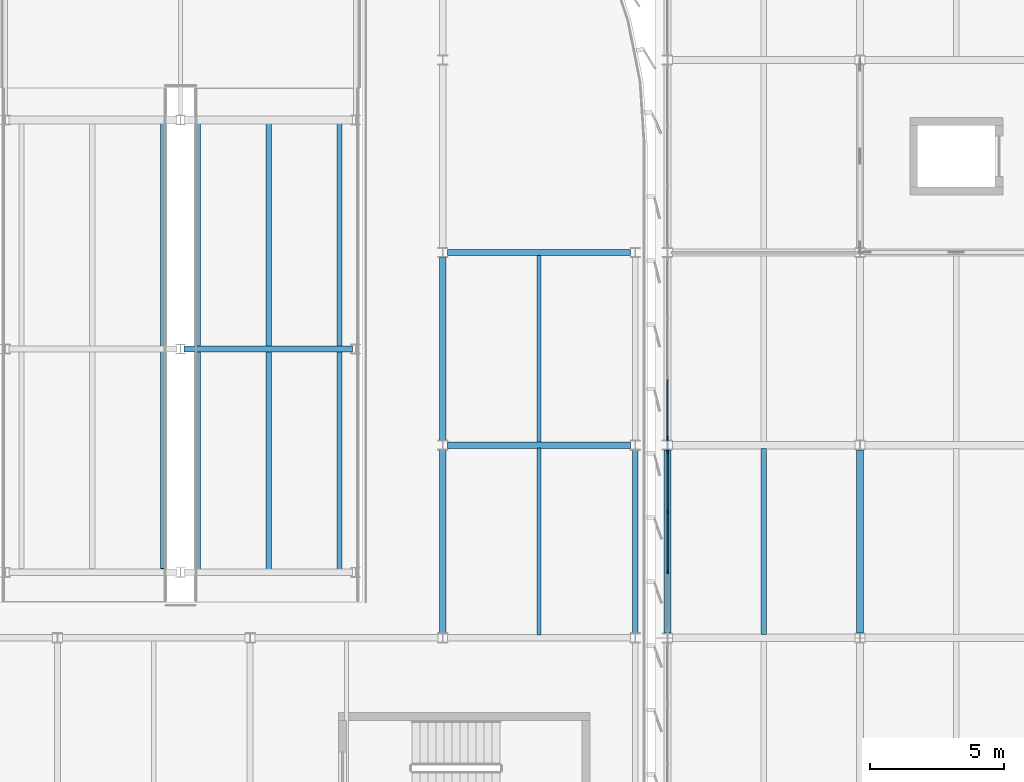
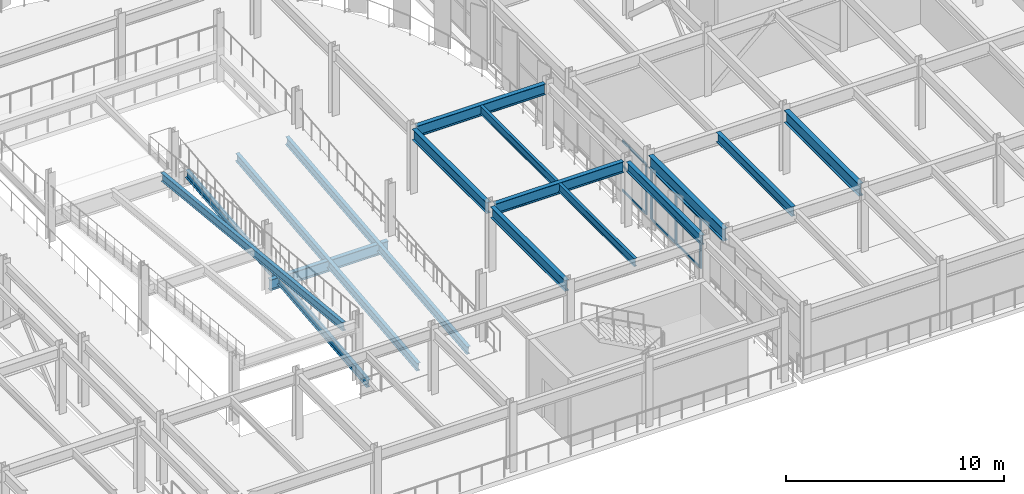
# One storey, part 31 of 80: 15 beams, 13 members, 2 elements without a shape of their own.
"""IFC4 building model written with IfcOpenShell, lengths in metres."""

from ifc_helpers import new_model, si_unit, direction, frame, origin, origin_2d, place, context, subcontext, project, spatial, rectangle, i_section, extrude, material, material_profile, profile_set, type_object, element, aggregate, save


model = new_model("IFC4")

# Units and contexts
model_context = context("Model", 3, precision=1e-05, world=origin(), true_north=direction((0.0, 1.0)))
body_context = subcontext(model_context, "Body", "Model", "MODEL_VIEW")
ifc_project = project(units=[si_unit("LENGTHUNIT", "METRE"), si_unit("AREAUNIT", "SQUARE_METRE"), si_unit("VOLUMEUNIT", "CUBIC_METRE"), si_unit("PLANEANGLEUNIT", "RADIAN"), si_unit("MASSUNIT", "GRAM", prefix="KILO")], contexts=[model_context])

# Site, building, storey
site_placement = place(None, origin())
site = spatial("IfcSite", under=ifc_project, at=site_placement, CompositionType="ELEMENT")
building_placement = place(site_placement, origin())
building = spatial("IfcBuilding", under=site, at=building_placement, Name="Vaelcorin Mobility Hub", CompositionType="ELEMENT")
storey_placement = place(building_placement, frame((0.0, 0.0, 9.300048828125)))
storey = spatial("IfcBuildingStorey", under=building, at=storey_placement, Name="L02", CompositionType="ELEMENT", Elevation=9.300048828125)

# Beams
ifc_material_1 = material(Name="Steel ASTM A992 Grade 50", Category="steel")
ifc_material_profile_1 = material_profile(ifc_material_1, i_section(OverallWidth=0.152099609375, OverallDepth=0.455078125, WebThickness=0.008056640625, FlangeThickness=0.01318359375, FilletRadius=0.012939453125, at=origin_2d()), Name="W18X40")
ifc_profile_set_1 = profile_set([ifc_material_profile_1], Name="Steel ASTM A992 Grade 50")
beam_type_1 = type_object("IfcBeamType", Name="BM-W18X40", PredefinedType="JOIST", material=ifc_profile_set_1)
beam_1_placement = place(storey_placement, frame((148.800048828125, 84.112060546875, 3.421875), z_axis=(0.0, 1.0, 0.0), x_axis=(-1.0, 0.0, 0.0)))
element("IfcBeam", 1, at=beam_1_placement, inside=storey, type_object=beam_type_1, Name="L02 Beam V2E-L02-J-04-02-1", PredefinedType="JOIST", context=body_context, shape_type="SweptSolid", body=[
    extrude(i_section(OverallWidth=0.152099609375, OverallDepth=0.455078125, WebThickness=0.008056640625, FlangeThickness=0.01318359375, FilletRadius=0.012939453125, at=origin_2d()), origin(), (0.0, 0.0, 1.0), 6.975830078125),
])
beam_2_placement = place(storey_placement, frame((148.800048828125, 91.31201171875, 3.421875), z_axis=(0.0, 1.0, 0.0), x_axis=(-1.0, 0.0, 0.0)))
element("IfcBeam", 2, at=beam_2_placement, inside=storey, type_object=beam_type_1, Name="L02 Beam V2E-L02-J-04-03-1", PredefinedType="JOIST", context=body_context, shape_type="SweptSolid", body=[
    extrude(i_section(OverallWidth=0.152099609375, OverallDepth=0.455078125, WebThickness=0.008056640625, FlangeThickness=0.01318359375, FilletRadius=0.012939453125, at=origin_2d()), origin(), (0.0, 0.0, 1.0), 6.97607421875),
])
ifc_material_profile_2 = material_profile(ifc_material_1, i_section(OverallWidth=0.19091796875, OverallDepth=0.4599609375, WebThickness=0.010009765625, FlangeThickness=0.01611328125, FilletRadius=0.012939453125, at=origin_2d()), Name="W18X55")
ifc_profile_set_2 = profile_set([ifc_material_profile_2], Name="Steel ASTM A992 Grade 50")
beam_type_2 = type_object("IfcBeamType", Name="BM-W18X55", PredefinedType="JOIST", material=ifc_profile_set_2)
for number, where, z_axis, x_axis, name in (
    (3, (136.050048828125, 86.56005859375, -0.39111328125), (0.0, 0.994870153846, 0.101160155132), (-1.0, 0.0, 0.0), "Vehicle Ramp VR-2 L02 Flight 1 Stringer 1"),
    (4, (138.699951171875, 86.56005859375, -0.39111328125), (0.0, 0.994870153846, 0.101160155132), (-1.0, 0.0, 0.0), "Vehicle Ramp VR-2 L02 Flight 1 Stringer 2"),
    (5, (141.35009765625, 86.56005859375, -0.39111328125), (0.0, 0.994870153846, 0.101160155132), (-1.0, 0.0, 0.0), "Vehicle Ramp VR-2 L02 Flight 1 Stringer 3"),
    (6, (134.75, 103.239990234375, 1.570068359375), (0.0, -0.994877478828, 0.101088090895), (1.0, 0.0, 0.0), "Vehicle Ramp VR-2 L02 Flight 2 Stringer 3"),
):
    element("IfcBeam", number, at=place(storey_placement, frame(where, z_axis=z_axis, x_axis=x_axis)), inside=storey, type_object=beam_type_2, Name=name, PredefinedType="JOIST", context=body_context, shape_type="SweptSolid", body=[
        extrude(i_section(OverallWidth=0.19091796875, OverallDepth=0.4599609375, WebThickness=0.010009765625, FlangeThickness=0.01611328125, FilletRadius=0.012939453125, at=origin_2d()), origin(), (0.0, 0.0, 1.0), 16.765869140625),
    ])
ifc_material_profile_3 = material_profile(ifc_material_1, i_section(OverallWidth=0.2099609375, OverallDepth=0.532958984375, WebThickness=0.01025390625, FlangeThickness=0.015625, FilletRadius=0.013916015625, at=origin_2d()), Name="W21X62")
ifc_profile_set_3 = profile_set([ifc_material_profile_3], Name="Steel ASTM A992 Grade 50")
beam_type_3 = type_object("IfcBeamType", Name="BM-W21X62", PredefinedType="JOIST", material=ifc_profile_set_3)
beam_3_placement = place(storey_placement, frame((157.199951171875, 84.132080078125, 3.333984375), z_axis=(0.0, 1.0, 0.0), x_axis=(-1.0, 0.0, 0.0)))
element("IfcBeam", 7, at=beam_3_placement, inside=storey, type_object=beam_type_3, Name="L02 Beam V5-L02-J-01-10-1", PredefinedType="JOIST", context=body_context, shape_type="SweptSolid", body=[
    extrude(i_section(OverallWidth=0.2099609375, OverallDepth=0.532958984375, WebThickness=0.01025390625, FlangeThickness=0.015625, FilletRadius=0.013916015625, at=origin_2d()), origin(), (0.0, 0.0, 1.0), 6.93603515625),
])
ifc_material_profile_4 = material_profile(ifc_material_1, i_section(OverallWidth=0.2099609375, OverallDepth=0.535888671875, WebThickness=0.010986328125, FlangeThickness=0.017333984375, FilletRadius=0.013916015625, at=origin_2d()), Name="W21X68")
ifc_profile_set_4 = profile_set([ifc_material_profile_4], Name="Steel ASTM A992 Grade 50")
beam_type_4 = type_object("IfcBeamType", Name="BM-W21X68", PredefinedType="SPANDREL", material=ifc_profile_set_4)
beam_4_placement = place(storey_placement, frame((152.39990234375, 84.179931640625, 3.3818359375), z_axis=(0.0, 1.0, 0.0), x_axis=(-1.0, 0.0, 0.0)))
element("IfcBeam", 8, at=beam_4_placement, inside=storey, type_object=beam_type_4, Name="L02 Beam V2E-L02-GY-05-02", PredefinedType="SPANDREL", context=body_context, shape_type="SweptSolid", body=[
    extrude(i_section(OverallWidth=0.2099609375, OverallDepth=0.535888671875, WebThickness=0.010986328125, FlangeThickness=0.017333984375, FilletRadius=0.013916015625, at=origin_2d()), origin(), (0.0, 0.0, 1.0), 6.840087890625),
])
ifc_material_profile_5 = material_profile(ifc_material_1, i_section(OverallWidth=0.22900390625, OverallDepth=0.612060546875, WebThickness=0.011962890625, FlangeThickness=0.01953125, FilletRadius=0.014892578125, at=origin_2d()), Name="W24X84")
ifc_profile_set_5 = profile_set([ifc_material_profile_5], Name="Steel ASTM A992 Grade 50")
beam_type_5 = type_object("IfcBeamType", Name="BM-W24X84", PredefinedType="BEAM", material=ifc_profile_set_5)
for number, where, z_axis, x_axis, name in (
    (9, (145.384033203125, 91.199951171875, 3.343994140625), (1.0, 0.0, 0.0), (0.0, 1.0, 0.0), "L02 Beam V2E-L02-GX-03-04"),
    (10, (145.384033203125, 98.39990234375, 3.343994140625), (1.0, 0.0, 0.0), (0.0, 1.0, 0.0), "L02 Beam V2E-L02-GX-04-04"),
):
    element("IfcBeam", number, at=place(storey_placement, frame(where, z_axis=z_axis, x_axis=x_axis)), inside=storey, type_object=beam_type_5, Name=name, PredefinedType="BEAM", context=body_context, shape_type="SweptSolid", body=[
        extrude(i_section(OverallWidth=0.22900390625, OverallDepth=0.612060546875, WebThickness=0.011962890625, FlangeThickness=0.01953125, FilletRadius=0.014892578125, at=origin_2d()), origin(), (0.0, 0.0, 1.0), 6.83203125),
    ])
for number, where, z_axis, x_axis, name in (
    (11, (145.199951171875, 84.179931640625, 3.343994140625), (0.0, 1.0, 0.0), (-1.0, 0.0, 0.0), "L02 Beam V2E-L02-GY-04-02"),
    (12, (145.199951171875, 91.3798828125, 3.343994140625), (0.0, 1.0, 0.0), (-1.0, 0.0, 0.0), "L02 Beam V2E-L02-GY-04-03"),
):
    element("IfcBeam", number, at=place(storey_placement, frame(where, z_axis=z_axis, x_axis=x_axis)), inside=storey, type_object=beam_type_5, Name=name, PredefinedType="BEAM", context=body_context, shape_type="SweptSolid", body=[
        extrude(i_section(OverallWidth=0.22900390625, OverallDepth=0.612060546875, WebThickness=0.011962890625, FlangeThickness=0.01953125, FilletRadius=0.014892578125, at=origin_2d()), origin(), (0.0, 0.0, 1.0), 6.840087890625),
    ])
beam_5_placement = place(storey_placement, frame((135.530029296875, 94.800048828125, 0.349853515625), z_axis=(1.0, 0.0, 0.0), x_axis=(0.0, 1.0, 0.0)))
element("IfcBeam", 13, at=beam_5_placement, inside=storey, type_object=beam_type_5, Name="Vehicle Ramp VR-2 L02 Bent Girder F1M", PredefinedType="BEAM", context=body_context, shape_type="SweptSolid", body=[
    extrude(i_section(OverallWidth=0.22900390625, OverallDepth=0.612060546875, WebThickness=0.011962890625, FlangeThickness=0.01953125, FilletRadius=0.014892578125, at=origin_2d()), origin(), (0.0, 0.0, 1.0), 6.2900390625),
])
ifc_material_profile_6 = material_profile(ifc_material_1, i_section(OverallWidth=0.25390625, OverallDepth=0.68310546875, WebThickness=0.012451171875, FlangeThickness=0.018798828125, FilletRadius=0.01611328125, at=origin_2d()), Name="W27X94")
ifc_profile_set_6 = profile_set([ifc_material_profile_6], Name="Steel ASTM A992 Grade 50")
beam_type_6 = type_object("IfcBeamType", Name="BM-W27X94", PredefinedType="BEAM", material=ifc_profile_set_6)
for number, where, z_axis, x_axis, name in (
    (14, (153.60009765625, 84.176025390625, 3.258056640625), (0.0, 1.0, 0.0), (-1.0, 0.0, 0.0), "L02 Beam V5-L02-GY-01-10"),
    (15, (160.800048828125, 84.176025390625, 3.258056640625), (0.0, 1.0, 0.0), (-1.0, 0.0, 0.0), "L02 Beam V5-L02-GY-02-10"),
):
    element("IfcBeam", number, at=place(storey_placement, frame(where, z_axis=z_axis, x_axis=x_axis)), inside=storey, type_object=beam_type_6, Name=name, PredefinedType="BEAM", context=body_context, shape_type="SweptSolid", body=[
        extrude(i_section(OverallWidth=0.25390625, OverallDepth=0.68310546875, WebThickness=0.012451171875, FlangeThickness=0.018798828125, FilletRadius=0.01611328125, at=origin_2d()), origin(), (0.0, 0.0, 1.0), 6.847900390625),
    ])

# Curtain wall, members
ifc_material_2 = material(Name="Anodised aluminium 6063-T6", Category="aluminium")
curtain_wall_type = type_object("IfcCurtainWallType", Name="CW-MOB-A", PredefinedType="NOTDEFINED", material=ifc_material_2)
curtain_wall_1_placement = place(storey_placement, origin())
curtain_wall_1 = element("IfcCurtainWall", 16, at=curtain_wall_1_placement, inside=storey, type_object=curtain_wall_type, Name="L02 Curtain Wall CW-V5-L02-WN-02", PredefinedType="NOTDEFINED")
ifc_material_profile_7 = material_profile(ifc_material_2, rectangle(XDim=0.06005859375, YDim=0.159912109375, at=origin_2d()), Name="ALU-M60X160")
ifc_profile_set_7 = profile_set([ifc_material_profile_7], Name="Anodised aluminium 6063-T6")
member_type_1 = type_object("IfcMemberType", Name="CW-MULL-160", PredefinedType="MULLION", material=ifc_profile_set_7)
member_1_placement = place(storey_placement, frame((153.60009765625, 86.473388671875, 0.0), z_axis=(0.0, 0.0, 1.0), x_axis=(-1.0, 0.0, 0.0)))
member_1 = element("IfcMember", 17, at=member_1_placement, type_object=member_type_1, Name="CW7 mullion 2", PredefinedType="MULLION", context=body_context, shape_type="SweptSolid", body=[
    extrude(rectangle(XDim=0.06005859375, YDim=0.159912109375, at=origin_2d()), origin(), (0.0, 0.0, 1.0), 2.827880859375),
])
member_2_placement = place(storey_placement, frame((153.60009765625, 88.7265625, 0.0), z_axis=(0.0, 0.0, 1.0), x_axis=(-1.0, 0.0, 0.0)))
member_2 = element("IfcMember", 18, at=member_2_placement, type_object=member_type_1, Name="CW7 mullion 3", PredefinedType="MULLION", context=body_context, shape_type="SweptSolid", body=[
    extrude(rectangle(XDim=0.06005859375, YDim=0.159912109375, at=origin_2d()), origin(), (0.0, 0.0, 1.0), 2.827880859375),
])
member_3_placement = place(storey_placement, frame((153.60009765625, 90.949951171875, 0.0), z_axis=(0.0, 0.0, 1.0), x_axis=(-1.0, 0.0, 0.0)))
member_3 = element("IfcMember", 19, at=member_3_placement, type_object=member_type_1, Name="CW7 mullion 4", PredefinedType="MULLION", context=body_context, shape_type="SweptSolid", body=[
    extrude(rectangle(XDim=0.06005859375, YDim=0.159912109375, at=origin_2d()), origin(), (0.0, 0.0, 1.0), 2.827880859375),
])

# Curtain wall, member
curtain_wall_2_placement = place(storey_placement, origin())
curtain_wall_2 = element("IfcCurtainWall", 20, at=curtain_wall_2_placement, inside=storey, type_object=curtain_wall_type, Name="L02 Curtain Wall CW-V5-L02-WN-03", PredefinedType="NOTDEFINED")
member_4_placement = place(storey_placement, frame((153.60009765625, 91.449951171875, 0.0), z_axis=(0.0, 0.0, 1.0), x_axis=(-1.0, 0.0, 0.0)))
member_4 = element("IfcMember", 21, at=member_4_placement, type_object=member_type_1, Name="CW7 mullion 1", PredefinedType="MULLION", context=body_context, shape_type="SweptSolid", body=[
    extrude(rectangle(XDim=0.06005859375, YDim=0.159912109375, at=origin_2d()), origin(), (0.0, 0.0, 1.0), 2.827880859375),
])

# Member
ifc_material_profile_8 = material_profile(ifc_material_2, rectangle(XDim=0.06005859375, YDim=0.1201171875, at=origin_2d()), Name="ALU-T60X120")
ifc_profile_set_8 = profile_set([ifc_material_profile_8], Name="Anodised aluminium 6063-T6")
member_type_2 = type_object("IfcMemberType", Name="CW-TRAN-140", PredefinedType="USERDEFINED", material=ifc_profile_set_8)
member_5_placement = place(storey_placement, frame((153.60009765625, 86.50341796875, 0.030029296875), z_axis=(0.0, 1.0, 0.0), x_axis=(-1.0, 0.0, 0.0)))
member_5 = element("IfcMember", 22, at=member_5_placement, type_object=member_type_2, Name="CW7 transom 2.1", ObjectType="TRANSOM", PredefinedType="USERDEFINED", context=body_context, shape_type="SweptSolid", body=[
    extrude(rectangle(XDim=0.06005859375, YDim=0.1201171875, at=origin_2d()), origin(), (0.0, 0.0, 1.0), 2.193359375),
])

member_6_placement = place(storey_placement, frame((153.60009765625, 86.50341796875, 1.4140625), z_axis=(0.0, 1.0, 0.0), x_axis=(-1.0, 0.0, 0.0)))
member_6 = element("IfcMember", 23, at=member_6_placement, type_object=member_type_2, Name="CW7 transom 2.2", ObjectType="TRANSOM", PredefinedType="USERDEFINED", context=body_context, shape_type="SweptSolid", body=[
    extrude(rectangle(XDim=0.06005859375, YDim=0.1201171875, at=origin_2d()), origin(), (0.0, 0.0, 1.0), 2.193359375),
])

member_7_placement = place(storey_placement, frame((153.60009765625, 86.50341796875, 2.7978515625), z_axis=(0.0, 1.0, 0.0), x_axis=(-1.0, 0.0, 0.0)))
member_7 = element("IfcMember", 24, at=member_7_placement, type_object=member_type_2, Name="CW7 transom 2.3", ObjectType="TRANSOM", PredefinedType="USERDEFINED", context=body_context, shape_type="SweptSolid", body=[
    extrude(rectangle(XDim=0.06005859375, YDim=0.1201171875, at=origin_2d()), origin(), (0.0, 0.0, 1.0), 2.193359375),
])

member_8_placement = place(storey_placement, frame((153.60009765625, 88.756591796875, 0.030029296875), z_axis=(0.0, 1.0, 0.0), x_axis=(-1.0, 0.0, 0.0)))
member_8 = element("IfcMember", 25, at=member_8_placement, type_object=member_type_2, Name="CW7 transom 3.1", ObjectType="TRANSOM", PredefinedType="USERDEFINED", context=body_context, shape_type="SweptSolid", body=[
    extrude(rectangle(XDim=0.06005859375, YDim=0.1201171875, at=origin_2d()), origin(), (0.0, 0.0, 1.0), 2.163330078125),
])

member_9_placement = place(storey_placement, frame((153.60009765625, 88.756591796875, 1.4140625), z_axis=(0.0, 1.0, 0.0), x_axis=(-1.0, 0.0, 0.0)))
member_9 = element("IfcMember", 26, at=member_9_placement, type_object=member_type_2, Name="CW7 transom 3.2", ObjectType="TRANSOM", PredefinedType="USERDEFINED", context=body_context, shape_type="SweptSolid", body=[
    extrude(rectangle(XDim=0.06005859375, YDim=0.1201171875, at=origin_2d()), origin(), (0.0, 0.0, 1.0), 2.163330078125),
])

member_10_placement = place(storey_placement, frame((153.60009765625, 88.756591796875, 2.7978515625), z_axis=(0.0, 1.0, 0.0), x_axis=(-1.0, 0.0, 0.0)))
member_10 = element("IfcMember", 27, at=member_10_placement, type_object=member_type_2, Name="CW7 transom 3.3", ObjectType="TRANSOM", PredefinedType="USERDEFINED", context=body_context, shape_type="SweptSolid", body=[
    extrude(rectangle(XDim=0.06005859375, YDim=0.1201171875, at=origin_2d()), origin(), (0.0, 0.0, 1.0), 2.163330078125),
])

aggregate(curtain_wall_1, [member_1, member_2, member_3, member_5, member_6, member_7, member_8, member_9, member_10])

member_11_placement = place(storey_placement, frame((153.60009765625, 91.47998046875, 0.030029296875), z_axis=(0.0, 1.0, 0.0), x_axis=(-1.0, 0.0, 0.0)))
member_11 = element("IfcMember", 28, at=member_11_placement, type_object=member_type_2, Name="CW7 transom 1.1", ObjectType="TRANSOM", PredefinedType="USERDEFINED", context=body_context, shape_type="SweptSolid", body=[
    extrude(rectangle(XDim=0.06005859375, YDim=0.1201171875, at=origin_2d()), origin(), (0.0, 0.0, 1.0), 2.163330078125),
])

member_12_placement = place(storey_placement, frame((153.60009765625, 91.47998046875, 1.4140625), z_axis=(0.0, 1.0, 0.0), x_axis=(-1.0, 0.0, 0.0)))
member_12 = element("IfcMember", 29, at=member_12_placement, type_object=member_type_2, Name="CW7 transom 1.2", ObjectType="TRANSOM", PredefinedType="USERDEFINED", context=body_context, shape_type="SweptSolid", body=[
    extrude(rectangle(XDim=0.06005859375, YDim=0.1201171875, at=origin_2d()), origin(), (0.0, 0.0, 1.0), 2.163330078125),
])

member_13_placement = place(storey_placement, frame((153.60009765625, 91.47998046875, 2.7978515625), z_axis=(0.0, 1.0, 0.0), x_axis=(-1.0, 0.0, 0.0)))
member_13 = element("IfcMember", 30, at=member_13_placement, type_object=member_type_2, Name="CW7 transom 1.3", ObjectType="TRANSOM", PredefinedType="USERDEFINED", context=body_context, shape_type="SweptSolid", body=[
    extrude(rectangle(XDim=0.06005859375, YDim=0.1201171875, at=origin_2d()), origin(), (0.0, 0.0, 1.0), 2.163330078125),
])

aggregate(curtain_wall_2, [member_4, member_11, member_12, member_13])

save(model, "model.ifc")
